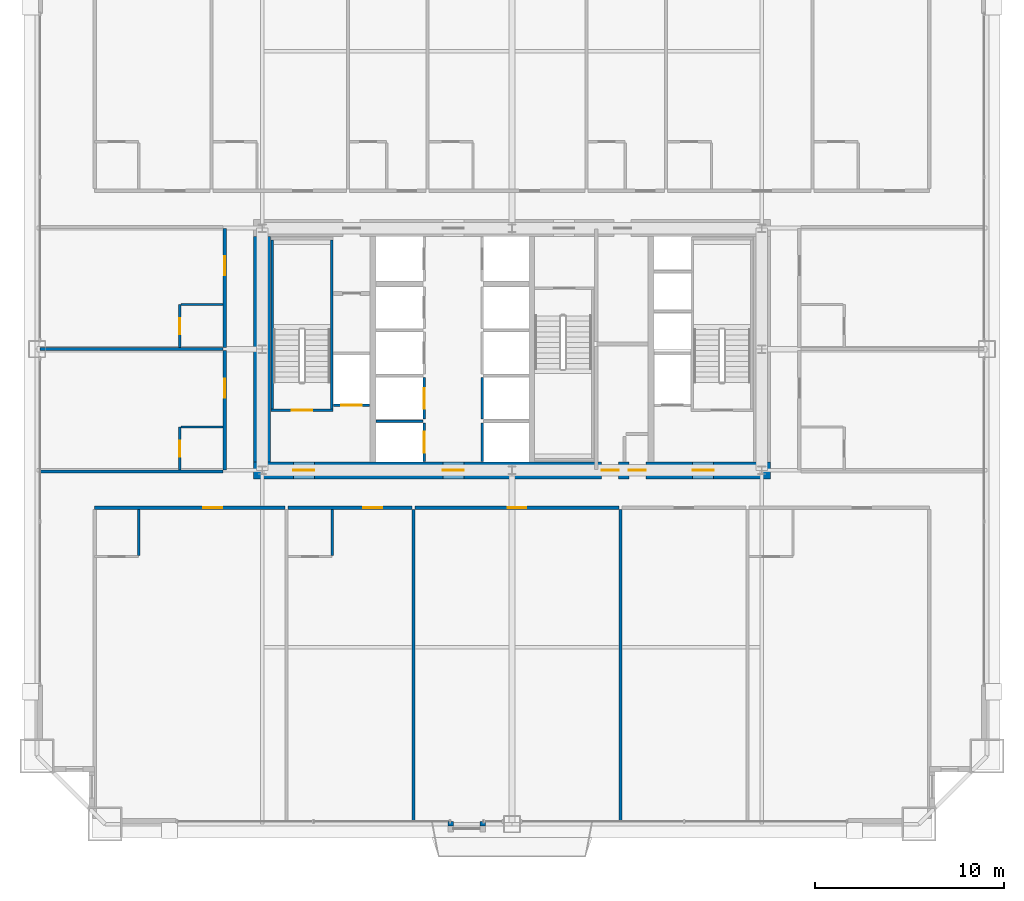
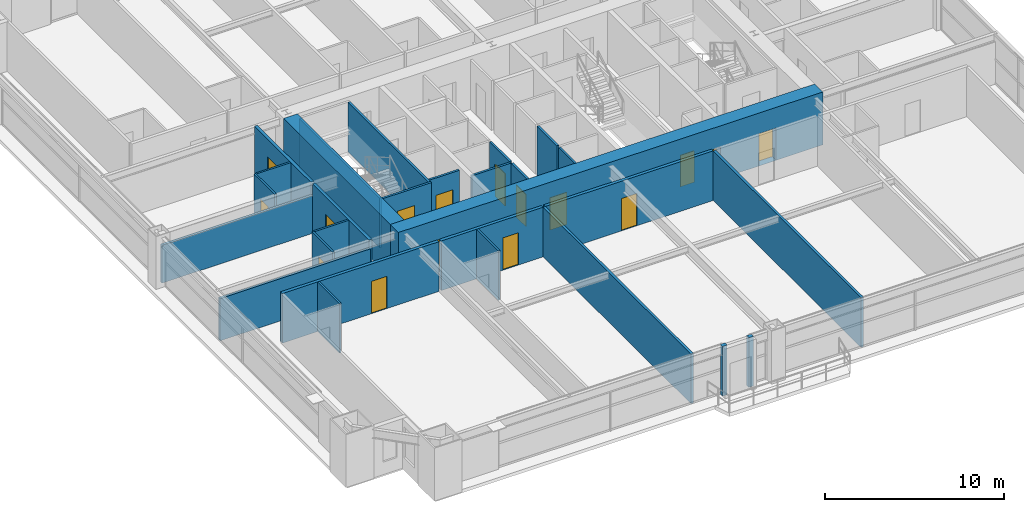
# One storey, part 40 of 45: 28 walls, 16 doors, 16 openings.
"""IFC4 building model written with IfcOpenShell, lengths in metres."""

import ifcopenshell
import ifcopenshell.guid

model = None  # the IFC model being written
_history = None  # IfcOwnerHistory: only IFC2X3 demands one
_inside = {}  # id of a spatial element -> (the spatial element, [elements in it])
_under = {}  # id of a project, library or spatial element -> (it, [spatial elements below it])
_declared = {}  # id of a project -> (the project, [libraries it declares])
_typed = {}  # id of a type object -> (the type object, [elements of that type])
_made_of = {}  # id of a material, layer set ... -> (it, [elements and type objects made of it])


def new_model(schema):
    """Start an empty IFC model of exactly this schema.

    Asked for "IFC4X3", IfcOpenShell would pick the latest addendum, in which some entities
    have other attributes; the version numbers below select the first issue.
    IFC2X3 requires an IfcOwnerHistory on every rooted entity: one is made here for all.
    """
    global model, _history
    if schema == "IFC4X3":
        model = ifcopenshell.file(schema_version=(4, 3, 0, 0))
    else:
        model = ifcopenshell.file(schema=schema)
    _inside.clear()
    _under.clear()
    _declared.clear()
    _typed.clear()
    _made_of.clear()
    _history = None
    if model.schema == "IFC2X3":
        org = make("IfcOrganization", Name="unknown")
        user = make(
            "IfcPersonAndOrganization",
            ThePerson=make("IfcPerson", FamilyName="unknown"),
            TheOrganization=org,
        )
        app = make(
            "IfcApplication",
            ApplicationDeveloper=org,
            Version="unknown",
            ApplicationFullName="unknown",
            ApplicationIdentifier="unknown",
        )
        _history = make(
            "IfcOwnerHistory",
            OwningUser=user,
            OwningApplication=app,
            ChangeAction="ADDED",
            CreationDate=0,
        )
    return model


def make(cls, **values):
    """One entity of the class cls with the attributes given. An attribute that is None is left unset."""
    return model.create_entity(
        cls, **{name: value for name, value in values.items() if value is not None}
    )


def rooted(cls, **values):
    """An entity with a GlobalId (a new one), such as an element, a storey or a relation."""
    return make(cls, GlobalId=ifcopenshell.guid.new(), OwnerHistory=_history, **values)


def si_unit(unit_type, name, prefix=None):
    """IfcSIUnit, for example si_unit("LENGTHUNIT", "METRE", prefix="MILLI")."""
    return make("IfcSIUnit", UnitType=unit_type, Prefix=prefix, Name=name)


def assignment(units):
    """IfcUnitAssignment: the units of a project."""
    return None if units is None else make("IfcUnitAssignment", Units=units)


def point(xyz):
    """IfcCartesianPoint."""
    return None if xyz is None else make("IfcCartesianPoint", Coordinates=xyz)


def direction(xyz):
    """IfcDirection."""
    return None if xyz is None else make("IfcDirection", DirectionRatios=xyz)


def frame(location, z_axis=None, x_axis=None):
    """IfcAxis2Placement3D, a coordinate frame: its origin and axes. An axis left out is left unset."""
    return make(
        "IfcAxis2Placement3D",
        Location=point(location),
        Axis=direction(z_axis),
        RefDirection=direction(x_axis),
    )


def frame_2d(location, x_axis=None):
    """IfcAxis2Placement2D, a coordinate frame in the plane: its origin and x axis."""
    return make(
        "IfcAxis2Placement2D", Location=point(location), RefDirection=direction(x_axis)
    )


def origin():
    """The frame at (0, 0, 0) with its axes left unset."""
    return frame((0.0, 0.0, 0.0))


def place(relative_to, where):
    """IfcLocalPlacement: puts the frame where relative to a parent placement (None: the world)."""
    return make(
        "IfcLocalPlacement", PlacementRelTo=relative_to, RelativePlacement=where
    )


def context(
    kind, dimensions, precision=None, world=None, true_north=None, identifier=None
):
    """IfcGeometricRepresentationContext, for example the 3D "Model" context."""
    return make(
        "IfcGeometricRepresentationContext",
        ContextIdentifier=identifier,
        ContextType=kind,
        CoordinateSpaceDimension=dimensions,
        Precision=precision,
        WorldCoordinateSystem=world,
        TrueNorth=true_north,
    )


def subcontext(parent, identifier, kind, view, scale=None):
    """IfcGeometricRepresentationSubContext, for example "Body" below "Model"."""
    return make(
        "IfcGeometricRepresentationSubContext",
        ContextIdentifier=identifier,
        ContextType=kind,
        ParentContext=parent,
        TargetScale=scale,
        TargetView=view,
    )


def project(units=None, contexts=None):
    """IfcProject with its units and contexts."""
    return rooted(
        "IfcProject",
        Name="project",
        RepresentationContexts=contexts,
        UnitsInContext=assignment(units),
    )


def spatial(cls, under=None, at=None, **own):
    """A site, building, storey or space (cls), placed at a placement, below another one or the project."""
    s = rooted(cls, ObjectPlacement=at, **own)
    if under is not None:
        _under.setdefault(under.id(), (under, []))[1].append(s)
    return s


def profile(cls, at=None, kind="AREA", **sizes):
    """A parametric profile (cls). Its sizes go by their IFC names, for example OverallWidth=200.0."""
    return make(cls, ProfileType=kind, Position=at, **sizes)


def rectangle(**sizes):
    """IfcRectangleProfileDef."""
    return profile("IfcRectangleProfileDef", **sizes)


def extrude(swept, where, along, depth):
    """IfcExtrudedAreaSolid: the profile swept, set in the frame where, extruded along a direction by depth."""
    return make(
        "IfcExtrudedAreaSolid",
        SweptArea=swept,
        Position=where,
        ExtrudedDirection=direction(along),
        Depth=depth,
    )


def shape(context_of_items, identifier, shape_type, items):
    """IfcShapeRepresentation: the items that make up one representation, for example the "Body"."""
    return make(
        "IfcShapeRepresentation",
        ContextOfItems=context_of_items,
        RepresentationIdentifier=identifier,
        RepresentationType=shape_type,
        Items=items,
    )


def source(mapping_origin, context_of_items, identifier, shape_type, items):
    """IfcRepresentationMap: a shape defined once, which mapped items show again and again."""
    return make(
        "IfcRepresentationMap",
        MappingOrigin=mapping_origin,
        MappedRepresentation=shape(context_of_items, identifier, shape_type, items),
    )


def transform(
    local_origin,
    x_axis=None,
    y_axis=None,
    z_axis=None,
    scale=None,
    scale2=None,
    scale3=None,
    uniform=True,
):
    """IfcCartesianTransformationOperator3D, or its non-uniform kind. x_axis, y_axis, z_axis: its Axis1, 2, 3."""
    if uniform:
        return make(
            "IfcCartesianTransformationOperator3D",
            Axis1=direction(x_axis),
            Axis2=direction(y_axis),
            LocalOrigin=point(local_origin),
            Scale=scale,
            Axis3=direction(z_axis),
        )
    return make(
        "IfcCartesianTransformationOperator3DnonUniform",
        Axis1=direction(x_axis),
        Axis2=direction(y_axis),
        LocalOrigin=point(local_origin),
        Scale=scale,
        Axis3=direction(z_axis),
        Scale2=scale2,
        Scale3=scale3,
    )


def mapped(mapping_source, mapping_target):
    """IfcMappedItem: shows the shape of a source again, moved by a transform."""
    return make(
        "IfcMappedItem", MappingSource=mapping_source, MappingTarget=mapping_target
    )


def material(Name=None, Category=None):
    """IfcMaterial."""
    return make("IfcMaterial", Name=Name, Category=Category)


def layer(
    of_material, thickness, ventilated=None, Name=None, Category=None, Priority=None
):
    """IfcMaterialLayer: one layer of a wall or slab, of a material (None: an air gap)."""
    return make(
        "IfcMaterialLayer",
        Material=of_material,
        LayerThickness=thickness,
        IsVentilated=ventilated,
        Name=Name,
        Category=Category,
        Priority=Priority,
    )


def layer_set(layers, Name=None):
    """IfcMaterialLayerSet."""
    return make("IfcMaterialLayerSet", MaterialLayers=layers, LayerSetName=Name)


def made_of(thing, what):
    """Note that an element or type object is made of a material, layer set ...; save() writes the relation."""
    if what is not None:
        _made_of.setdefault(what.id(), (what, []))[1].append(thing)
    return thing


def type_object(cls, material=None, **own):
    """A type object (cls), such as IfcWallType, which elements share."""
    return made_of(rooted(cls, **own), material)


def element(
    cls,
    number,
    at=None,
    inside=None,
    cuts=None,
    type_object=None,
    material=None,
    context=None,
    identifier="Body",
    shape_type=None,
    held_by="IfcProductDefinitionShape",
    body=None,
    shapes=None,
    **own,
):
    """One element of the class cls, such as IfcWall. Its Tag is "e" and its number.

    at: its placement. inside: the storey or other place that contains it. cuts: it is an
    opening in that element (IfcRelVoidsElement). A single representation is given by context,
    identifier, shape_type and body (its items); several are given by shapes. held_by: the class
    of the entity that holds the representations. save() writes the other relations.
    """
    e = rooted(cls, Tag="e%d" % number, ObjectPlacement=at, **own)
    if body is not None:
        shapes = [shape(context, identifier, shape_type, body)]
    if shapes is not None:
        e.Representation = make(held_by, Representations=shapes)
    if inside is not None:
        _inside.setdefault(inside.id(), (inside, []))[1].append(e)
    if cuts is not None:
        rooted(
            "IfcRelVoidsElement", RelatingBuildingElement=cuts, RelatedOpeningElement=e
        )
    if type_object is not None:
        _typed.setdefault(type_object.id(), (type_object, []))[1].append(e)
    return made_of(e, material)


def fill(opening, filler):
    """IfcRelFillsElement: the door or window that sits in an opening."""
    return rooted(
        "IfcRelFillsElement",
        RelatingOpeningElement=opening,
        RelatedBuildingElement=filler,
    )


def aggregate(whole, parts):
    """IfcRelAggregates: a whole, such as a stair, and the parts it consists of."""
    return rooted("IfcRelAggregates", RelatingObject=whole, RelatedObjects=parts)


def save(model, path):
    """Write the relations noted so far, then the file.

    IfcRelAggregates (storeys below a building ...), IfcRelContainedInSpatialStructure (elements
    in a storey), IfcRelDefinesByType, IfcRelAssociatesMaterial and IfcRelDeclares: one each for
    every whole, place, type object, material and project.
    """
    for whole, parts in _under.values():
        aggregate(whole, parts)
    for where, things in _inside.values():
        rooted(
            "IfcRelContainedInSpatialStructure",
            RelatedElements=things,
            RelatingStructure=where,
        )
    for kind, things in _typed.values():
        rooted("IfcRelDefinesByType", RelatedObjects=things, RelatingType=kind)
    for what, things in _made_of.values():
        rooted("IfcRelAssociatesMaterial", RelatedObjects=things, RelatingMaterial=what)
    for by, libraries in _declared.values():
        rooted("IfcRelDeclares", RelatingContext=by, RelatedDefinitions=libraries)
    model.write(path)


model = new_model("IFC4")

# Units and contexts
model_context = context("Model", 3, precision=1e-05, world=origin(), true_north=direction((0.0, 1.0)))
body_context = subcontext(model_context, "Body", "Model", "MODEL_VIEW")
ifc_project = project(units=[si_unit("LENGTHUNIT", "METRE"), si_unit("AREAUNIT", "SQUARE_METRE"), si_unit("VOLUMEUNIT", "CUBIC_METRE"), si_unit("PLANEANGLEUNIT", "RADIAN"), si_unit("MASSUNIT", "GRAM", prefix="KILO"), si_unit("THERMODYNAMICTEMPERATUREUNIT", "KELVIN"), si_unit("POWERUNIT", "WATT")], contexts=[model_context])

# Site, building, storey
site_placement = place(None, origin())
site = spatial("IfcSite", under=ifc_project, at=site_placement, CompositionType="ELEMENT")
building_placement = place(site_placement, origin())
building = spatial("IfcBuilding", under=site, at=building_placement, Name="Yuzanri Waterfront Tower", CompositionType="ELEMENT")
storey_placement = place(building_placement, frame((0.0, 0.0, 49.60009765625)))
storey = spatial("IfcBuildingStorey", under=building, at=storey_placement, Name="L12", CompositionType="ELEMENT", Elevation=49.60009765625)

# Wall, opening, door
ifc_material_1 = material(Name="Moisture-Resistant Gypsum Stud Wall", Category="gypsum")
ifc_layer_1 = layer(ifc_material_1, 0.1201171875)
ifc_layer_set_1 = layer_set([ifc_layer_1], Name="Moisture-Resistant Gypsum Stud Wall")
wall_type_1 = type_object("IfcWallType", Name="Bathroom and Kitchen Wet Partition 120", PredefinedType="PARTITIONING", material=ifc_layer_set_1)
wall_1_placement = place(storey_placement, frame((19.43994140625, 19.409912109375, 0.0), z_axis=(0.0, 0.0, 1.0), x_axis=(0.0, 1.0, 0.0)))
wall_1 = element("IfcWall", 1, at=wall_1_placement, inside=storey, type_object=wall_type_1, Name="L12 Partition UW-L12-W1-BW", PredefinedType="PARTITIONING", context=body_context, shape_type="SweptSolid", body=[
    extrude(rectangle(XDim=2.280029296875, YDim=0.1201171875, at=frame_2d((1.14013671875, 0.0))), origin(), (0.0, 0.0, 1.0), 3.3798828125),
])
opening_1_placement = place(wall_1_placement, frame((0.715087890625, 0.0, 0.0)))
opening_1 = element("IfcOpeningElement", 2, at=opening_1_placement, cuts=wall_1, Name="Opening ID-0850", PredefinedType="OPENING", context=body_context, shape_type="SweptSolid", body=[
    extrude(rectangle(XDim=0.85009765625, YDim=2.10009765625, at=frame_2d((0.425048828125, 1.050048828125))), frame((0.0, 0.074951171875, 0.0), z_axis=(0.0, -1.0, 0.0), x_axis=(1.0, 0.0, 0.0)), (0.0, 0.0, 1.0), 0.14990234375),
])
ifc_material_2 = material(Name="Moisture-Resistant Lacquered Timber", Category="wood")
door_type_1 = type_object("IfcDoorType", Name="En-Suite Bathroom and Kitchen Swing Door 850x2100", OperationType="NOTDEFINED", PredefinedType="DOOR", material=ifc_material_2)
shared_shape_1 = source(origin(), body_context, "Body", "SweptSolid", [
    extrude(rectangle(XDim=0.85009765625, YDim=2.10009765625, at=frame_2d((0.425048828125, 1.050048828125))), frame((0.0, 0.02490234375, 0.0), z_axis=(0.0, -1.0, 0.0), x_axis=(1.0, 0.0, 0.0)), (0.0, 0.0, 1.0), 0.050048828125),
])
door_1_placement = place(opening_1_placement, origin())
door_1 = element("IfcDoor", 3, at=door_1_placement, inside=storey, type_object=door_type_1, Name="L12 Guest En-Suite Door", OperationType="SINGLE_SWING_RIGHT", OverallHeight=2.10009765625, OverallWidth=0.85009765625, PredefinedType="DOOR", context=body_context, shape_type="MappedRepresentation", body=[
    mapped(shared_shape_1, transform((0.0, 0.0, 0.0), scale=1.0)),
])
fill(opening_1, door_1)

wall_2_placement = place(storey_placement, frame((19.43994140625, 25.8798828125, 0.0), z_axis=(0.0, 0.0, 1.0), x_axis=(0.0, 1.0, 0.0)))
wall_2 = element("IfcWall", 4, at=wall_2_placement, inside=storey, type_object=wall_type_1, Name="L12 Partition UW-L12-W2-BW", PredefinedType="PARTITIONING", context=body_context, shape_type="SweptSolid", body=[
    extrude(rectangle(XDim=2.280029296875, YDim=0.1201171875, at=frame_2d((1.14013671875, 0.0))), origin(), (0.0, 0.0, 1.0), 3.3798828125),
])
opening_2_placement = place(wall_2_placement, frame((0.715087890625, 0.0, 0.0)))
opening_2 = element("IfcOpeningElement", 5, at=opening_2_placement, cuts=wall_2, Name="Opening ID-0850", PredefinedType="OPENING", context=body_context, shape_type="SweptSolid", body=[
    extrude(rectangle(XDim=0.85009765625, YDim=2.10009765625, at=frame_2d((0.425048828125, 1.050048828125))), frame((0.0, 0.074951171875, 0.0), z_axis=(0.0, -1.0, 0.0), x_axis=(1.0, 0.0, 0.0)), (0.0, 0.0, 1.0), 0.14990234375),
])
door_2_placement = place(opening_2_placement, origin())
door_2 = element("IfcDoor", 6, at=door_2_placement, inside=storey, type_object=door_type_1, Name="L12 Guest En-Suite Door", OperationType="SINGLE_SWING_RIGHT", OverallHeight=2.10009765625, OverallWidth=0.85009765625, PredefinedType="DOOR", context=body_context, shape_type="MappedRepresentation", body=[
    mapped(shared_shape_1, transform((0.0, 0.0, 0.0), scale=1.0)),
])
fill(opening_2, door_2)

# Wall, openings, doors
ifc_material_3 = material(Name="Concrete C60", Category="concrete")
ifc_layer_2 = layer(ifc_material_3, 0.89990234375)
ifc_layer_set_2 = layer_set([ifc_layer_2], Name="Concrete C60")
wall_type_2 = type_object("IfcWallType", Name="Concrete C60 Lower Zone Core Shear Wall 900", PredefinedType="SHEAR", material=ifc_layer_set_2)
wall_3_placement = place(storey_placement, frame((23.35009765625, 19.39990234375, 0.0), z_axis=(0.0, 0.0, 1.0), x_axis=(1.0, 0.0, 0.0)))
wall_3 = element("IfcWall", 7, at=wall_3_placement, inside=storey, type_object=wall_type_2, Name="L12 Core South Shear Wall", PredefinedType="SHEAR", context=body_context, shape_type="SweptSolid", body=[
    extrude(rectangle(XDim=27.2998046875, YDim=0.89990234375, at=frame_2d((13.64990234375, 0.0))), origin(), (0.0, 0.0, 1.0), 3.599853515625),
])
opening_3_placement = place(wall_3_placement, frame((2.10009765625, 0.0, 0.0)))
opening_3 = element("IfcOpeningElement", 8, at=opening_3_placement, cuts=wall_3, Name="Opening FD-1100", PredefinedType="OPENING", context=body_context, shape_type="SweptSolid", body=[
    extrude(rectangle(XDim=1.10009765625, YDim=2.199951171875, at=frame_2d((0.550048828125, 1.10009765625))), frame((0.0, 0.46484375, 0.0), z_axis=(0.0, -1.0, 0.0), x_axis=(1.0, 0.0, 0.0)), (0.0, 0.0, 1.0), 0.9296875),
])
opening_4_placement = place(wall_3_placement, frame((10.0, 0.0, 0.0)))
opening_4 = element("IfcOpeningElement", 9, at=opening_4_placement, cuts=wall_3, Name="Opening FD-1100", PredefinedType="OPENING", context=body_context, shape_type="SweptSolid", body=[
    extrude(rectangle(XDim=1.10009765625, YDim=2.199951171875, at=frame_2d((0.550048828125, 1.10009765625))), frame((0.0, 0.46484375, 0.0), z_axis=(0.0, -1.0, 0.0), x_axis=(1.0, 0.0, 0.0)), (0.0, 0.0, 1.0), 0.9296875),
])
opening_5_placement = place(wall_3_placement, frame((23.199951171875, 0.0, 0.0)))
opening_5 = element("IfcOpeningElement", 10, at=opening_5_placement, cuts=wall_3, Name="Opening FD-1100", PredefinedType="OPENING", context=body_context, shape_type="SweptSolid", body=[
    extrude(rectangle(XDim=1.10009765625, YDim=2.199951171875, at=frame_2d((0.550048828125, 1.10009765625))), frame((0.0, 0.46484375, 0.0), z_axis=(0.0, -1.0, 0.0), x_axis=(1.0, 0.0, 0.0)), (0.0, 0.0, 1.0), 0.9296875),
])
opening_6_placement = place(wall_3_placement, frame((19.820068359375, 0.0, 0.0)))
opening_6 = element("IfcOpeningElement", 11, at=opening_6_placement, cuts=wall_3, Name="Opening FD-0900", PredefinedType="OPENING", context=body_context, shape_type="SweptSolid", body=[
    extrude(rectangle(XDim=0.89990234375, YDim=2.14990234375, at=frame_2d((0.449951171875, 1.074951171875))), frame((0.0, 0.46484375, 0.0), z_axis=(0.0, -1.0, 0.0), x_axis=(1.0, 0.0, 0.0)), (0.0, 0.0, 1.0), 0.9296875),
])
opening_7_placement = place(wall_3_placement, frame((18.3798828125, 0.0, 0.0)))
opening_7 = element("IfcOpeningElement", 12, at=opening_7_placement, cuts=wall_3, Name="Opening FD-0900", PredefinedType="OPENING", context=body_context, shape_type="SweptSolid", body=[
    extrude(rectangle(XDim=0.89990234375, YDim=2.14990234375, at=frame_2d((0.449951171875, 1.074951171875))), frame((0.0, 0.46484375, 0.0), z_axis=(0.0, -1.0, 0.0), x_axis=(1.0, 0.0, 0.0)), (0.0, 0.0, 1.0), 0.9296875),
])
ifc_material_4 = material(Name="Painted Galvanized Fire Steel", Category="steel")
door_type_2 = type_object("IfcDoorType", Name="Smoke-Proof Stair and Lobby Fire Door 1100x2200", OperationType="NOTDEFINED", PredefinedType="DOOR", material=ifc_material_4)
shared_shape_2 = source(origin(), body_context, "Body", "SweptSolid", [
    extrude(rectangle(XDim=1.10009765625, YDim=2.199951171875, at=frame_2d((0.550048828125, 1.10009765625))), frame((0.0, 0.02490234375, 0.0), z_axis=(0.0, -1.0, 0.0), x_axis=(1.0, 0.0, 0.0)), (0.0, 0.0, 1.0), 0.050048828125),
])
door_3_placement = place(opening_3_placement, origin())
door_3 = element("IfcDoor", 13, at=door_3_placement, inside=storey, type_object=door_type_2, Name="L12 West Firefighting Lobby Door", OperationType="SINGLE_SWING_LEFT", OverallHeight=2.199951171875, OverallWidth=1.10009765625, PredefinedType="DOOR", context=body_context, shape_type="MappedRepresentation", body=[
    mapped(shared_shape_2, transform((0.0, 0.0, 0.0), scale=1.0)),
])
fill(opening_3, door_3)
door_4_placement = place(opening_4_placement, origin())
door_4 = element("IfcDoor", 14, at=door_4_placement, inside=storey, type_object=door_type_2, Name="L12 Central Lift Lobby South Door", OperationType="SINGLE_SWING_RIGHT", OverallHeight=2.199951171875, OverallWidth=1.10009765625, PredefinedType="DOOR", context=body_context, shape_type="MappedRepresentation", body=[
    mapped(shared_shape_2, transform((0.0, 0.0, 0.0), scale=1.0)),
])
fill(opening_4, door_4)
door_5_placement = place(opening_5_placement, origin())
door_5 = element("IfcDoor", 15, at=door_5_placement, inside=storey, type_object=door_type_2, Name="L12 East Firefighting Lobby Door", OperationType="SINGLE_SWING_LEFT", OverallHeight=2.199951171875, OverallWidth=1.10009765625, PredefinedType="DOOR", context=body_context, shape_type="MappedRepresentation", body=[
    mapped(shared_shape_2, transform((0.0, 0.0, 0.0), scale=1.0)),
])
fill(opening_5, door_5)
ifc_material_5 = material(Name="Painted Galvanized Fire Steel", Category="steel")
door_type_3 = type_object("IfcDoorType", Name="Riser and Service Room Fire Door 900x2150", OperationType="NOTDEFINED", PredefinedType="DOOR", material=ifc_material_5)
shared_shape_3 = source(origin(), body_context, "Body", "SweptSolid", [
    extrude(rectangle(XDim=0.89990234375, YDim=2.14990234375, at=frame_2d((0.449951171875, 1.074951171875))), frame((0.0, 0.02490234375, 0.0), z_axis=(0.0, -1.0, 0.0), x_axis=(1.0, 0.0, 0.0)), (0.0, 0.0, 1.0), 0.050048828125),
])
door_6_placement = place(opening_6_placement, origin())
door_6 = element("IfcDoor", 16, at=door_6_placement, inside=storey, type_object=door_type_3, Name="L12 East Wet Riser Door", OperationType="SINGLE_SWING_RIGHT", OverallHeight=2.14990234375, OverallWidth=0.89990234375, PredefinedType="DOOR", context=body_context, shape_type="MappedRepresentation", body=[
    mapped(shared_shape_3, transform((0.0, 0.0, 0.0), scale=1.0)),
])
fill(opening_6, door_6)
door_7_placement = place(opening_7_placement, origin())
door_7 = element("IfcDoor", 17, at=door_7_placement, inside=storey, type_object=door_type_3, Name="L12 Meter and Valve Store Room", OperationType="SINGLE_SWING_LEFT", OverallHeight=2.14990234375, OverallWidth=0.89990234375, PredefinedType="DOOR", context=body_context, shape_type="MappedRepresentation", body=[
    mapped(shared_shape_3, transform((0.0, 0.0, 0.0), scale=1.0)),
])
fill(opening_7, door_7)

# Wall, opening, door
ifc_material_6 = material(Name="Concrete C40", Category="concrete")
ifc_layer_3 = layer(ifc_material_6, 0.139892578125)
ifc_layer_set_3 = layer_set([ifc_layer_3], Name="Concrete C40")
wall_type_3 = type_object("IfcWallType", Name="Core Stair Liner and Hoistway Shaft Wall 140", PredefinedType="SOLIDWALL", material=ifc_layer_set_3)
wall_4_placement = place(storey_placement, frame((27.56005859375, 22.830078125, 0.0), z_axis=(0.0, 0.0, 1.0), x_axis=(1.0, 0.0, 0.0)))
wall_4 = element("IfcWall", 18, at=wall_4_placement, inside=storey, type_object=wall_type_3, Name="L12 Lift FL-01 Front Shaft Wall", PredefinedType="SOLIDWALL", context=body_context, shape_type="SweptSolid", body=[
    extrude(rectangle(XDim=1.919921875, YDim=0.139892578125, at=frame_2d((0.9599609375, 0.0))), origin(), (0.0, 0.0, 1.0), 3.3798828125),
])
opening_8_placement = place(wall_4_placement, frame((0.409912109375, 0.0, 0.0)))
opening_8 = element("IfcOpeningElement", 19, at=opening_8_placement, cuts=wall_4, Name="Opening LD-FL-01", PredefinedType="OPENING", context=body_context, shape_type="SweptSolid", body=[
    extrude(rectangle(XDim=1.10009765625, YDim=2.199951171875, at=frame_2d((0.550048828125, 1.10009765625))), frame((0.0, 0.0849609375, 0.0), z_axis=(0.0, -1.0, 0.0), x_axis=(1.0, 0.0, 0.0)), (0.0, 0.0, 1.0), 0.169677734375),
])
ifc_material_7 = material(Name="Brushed Bronze and Stainless Steel Cab", Category="steel")
door_type_4 = type_object("IfcDoorType", Name="Center-Parting Bronze Lift Landing Sliding Door 1100x2200", OperationType="NOTDEFINED", PredefinedType="DOOR", material=ifc_material_7)
shared_shape_4 = source(origin(), body_context, "Body", "SweptSolid", [
    extrude(rectangle(XDim=1.10009765625, YDim=2.199951171875, at=frame_2d((0.550048828125, 1.10009765625))), frame((0.0, 0.02490234375, 0.0), z_axis=(0.0, -1.0, 0.0), x_axis=(1.0, 0.0, 0.0)), (0.0, 0.0, 1.0), 0.050048828125),
])
door_8_placement = place(opening_8_placement, origin())
door_8 = element("IfcDoor", 20, at=door_8_placement, inside=storey, type_object=door_type_4, Name="L12 FL-01 Lift Landing Sliding Door", OperationType="SLIDING_TO_LEFT", OverallHeight=2.199951171875, OverallWidth=1.10009765625, PredefinedType="DOOR", context=body_context, shape_type="MappedRepresentation", body=[
    mapped(shared_shape_4, transform((0.0, 0.0, 0.0), scale=1.0)),
])
fill(opening_8, door_8)

wall_5_placement = place(storey_placement, frame((32.3701171875, 19.860107421875, 0.0), z_axis=(0.0, 0.0, 1.0), x_axis=(0.0, 1.0, 0.0)))
wall_5 = element("IfcWall", 21, at=wall_5_placement, inside=storey, type_object=wall_type_3, Name="L12 Lift PL-01 Front Shaft Wall", PredefinedType="SOLIDWALL", context=body_context, shape_type="SweptSolid", body=[
    extrude(rectangle(XDim=2.039794921875, YDim=0.139892578125, at=frame_2d((1.02001953125, 0.0))), origin(), (0.0, 0.0, 1.0), 3.3798828125),
])
opening_9_placement = place(wall_5_placement, frame((0.469970703125, 0.0, 0.0)))
opening_9 = element("IfcOpeningElement", 22, at=opening_9_placement, cuts=wall_5, Name="Opening LD-PL-01", PredefinedType="OPENING", context=body_context, shape_type="SweptSolid", body=[
    extrude(rectangle(XDim=1.10009765625, YDim=2.199951171875, at=frame_2d((0.550048828125, 1.10009765625))), frame((0.0, 0.0849609375, 0.0), z_axis=(0.0, -1.0, 0.0), x_axis=(1.0, 0.0, 0.0)), (0.0, 0.0, 1.0), 0.169677734375),
])
door_9_placement = place(opening_9_placement, origin())
door_9 = element("IfcDoor", 23, at=door_9_placement, inside=storey, type_object=door_type_4, Name="L12 PL-01 Lift Landing Sliding Door", OperationType="SLIDING_TO_LEFT", OverallHeight=2.199951171875, OverallWidth=1.10009765625, PredefinedType="DOOR", context=body_context, shape_type="MappedRepresentation", body=[
    mapped(shared_shape_4, transform((0.0, 0.0, 0.0), scale=1.0)),
])
fill(opening_9, door_9)

wall_6_placement = place(storey_placement, frame((32.3701171875, 22.10009765625, 0.0), z_axis=(0.0, 0.0, 1.0), x_axis=(0.0, 1.0, 0.0)))
wall_6 = element("IfcWall", 24, at=wall_6_placement, inside=storey, type_object=wall_type_3, Name="L12 Lift PL-02 Front Shaft Wall", PredefinedType="SOLIDWALL", context=body_context, shape_type="SweptSolid", body=[
    extrude(rectangle(XDim=2.199951171875, YDim=0.139892578125, at=frame_2d((1.10009765625, 0.0))), origin(), (0.0, 0.0, 1.0), 3.3798828125),
])
opening_10_placement = place(wall_6_placement, frame((0.550048828125, 0.0, 0.0)))
opening_10 = element("IfcOpeningElement", 25, at=opening_10_placement, cuts=wall_6, Name="Opening LD-PL-02", PredefinedType="OPENING", context=body_context, shape_type="SweptSolid", body=[
    extrude(rectangle(XDim=1.10009765625, YDim=2.199951171875, at=frame_2d((0.550048828125, 1.10009765625))), frame((0.0, 0.0849609375, 0.0), z_axis=(0.0, -1.0, 0.0), x_axis=(1.0, 0.0, 0.0)), (0.0, 0.0, 1.0), 0.169677734375),
])
door_10_placement = place(opening_10_placement, origin())
door_10 = element("IfcDoor", 26, at=door_10_placement, inside=storey, type_object=door_type_4, Name="L12 PL-02 Lift Landing Sliding Door", OperationType="SLIDING_TO_RIGHT", OverallHeight=2.199951171875, OverallWidth=1.10009765625, PredefinedType="DOOR", context=body_context, shape_type="MappedRepresentation", body=[
    mapped(shared_shape_4, transform((0.0, 0.0, 0.0), scale=1.0)),
])
fill(opening_10, door_10)

wall_7_placement = place(storey_placement, frame((24.260009765625, 22.570068359375, 0.0), z_axis=(0.0, 0.0, 1.0), x_axis=(1.0, 0.0, 0.0)))
wall_7 = element("IfcWall", 27, at=wall_7_placement, inside=storey, type_object=wall_type_3, Name="L12 Shaft Wall STW-L12-ST-01-S", PredefinedType="SOLIDWALL", context=body_context, shape_type="SweptSolid", body=[
    extrude(rectangle(XDim=3.280029296875, YDim=0.139892578125, at=frame_2d((1.64013671875, 0.0))), origin(), (0.0, 0.0, 1.0), 3.3798828125),
])
opening_11_placement = place(wall_7_placement, frame((1.090087890625, 0.0, 0.0)))
opening_11 = element("IfcOpeningElement", 28, at=opening_11_placement, cuts=wall_7, Name="Opening FD-1100", PredefinedType="OPENING", context=body_context, shape_type="SweptSolid", body=[
    extrude(rectangle(XDim=1.10009765625, YDim=2.199951171875, at=frame_2d((0.550048828125, 1.10009765625))), frame((0.0, 0.0849609375, 0.0), z_axis=(0.0, -1.0, 0.0), x_axis=(1.0, 0.0, 0.0)), (0.0, 0.0, 1.0), 0.169677734375),
])
door_11_placement = place(opening_11_placement, origin())
door_11 = element("IfcDoor", 29, at=door_11_placement, inside=storey, type_object=door_type_2, Name="L12 Stair ST-01 Fire Door", OperationType="SINGLE_SWING_RIGHT", OverallHeight=2.199951171875, OverallWidth=1.10009765625, PredefinedType="DOOR", context=body_context, shape_type="MappedRepresentation", body=[
    mapped(shared_shape_2, transform((0.0, 0.0, 0.0), scale=1.0)),
])
fill(opening_11, door_11)

ifc_material_8 = material(Name="Autoclaved Aerated Concrete Blockwork", Category="masonry")
ifc_layer_4 = layer(ifc_material_8, 0.199951171875)
ifc_layer_set_4 = layer_set([ifc_layer_4], Name="Autoclaved Aerated Concrete Blockwork")
wall_type_4 = type_object("IfcWallType", Name="Corridor and Unit Party Fire Wall 200", PredefinedType="PARTITIONING", material=ifc_layer_set_4)
wall_8_placement = place(storey_placement, frame((14.93994140625, 17.419921875, 0.0), z_axis=(0.0, 0.0, 1.0), x_axis=(1.0, 0.0, 0.0)))
wall_8 = element("IfcWall", 30, at=wall_8_placement, inside=storey, type_object=wall_type_4, Name="L12 Partition UW-L12-S1-CN", PredefinedType="PARTITIONING", context=body_context, shape_type="SweptSolid", body=[
    extrude(rectangle(XDim=10.068115234375, YDim=0.199951171875, at=frame_2d((5.0341796875, 0.0))), origin(), (0.0, 0.0, 1.0), 3.3798828125),
])
opening_12_placement = place(wall_8_placement, frame((5.739013671875, 0.0, 0.0)))
opening_12 = element("IfcOpeningElement", 31, at=opening_12_placement, cuts=wall_8, Name="Opening FD-1000", PredefinedType="OPENING", context=body_context, shape_type="SweptSolid", body=[
    extrude(rectangle(XDim=1.0, YDim=2.199951171875, at=frame_2d((0.5, 1.10009765625))), frame((0.0, 0.11474609375, 0.0), z_axis=(0.0, -1.0, 0.0), x_axis=(1.0, 0.0, 0.0)), (0.0, 0.0, 1.0), 0.229736328125),
])
ifc_material_9 = material(Name="Engineered Oak Fire-Rated Timber", Category="wood")
door_type_5 = type_object("IfcDoorType", Name="Guestroom and Apartment Entrance Fire Door 1000x2200", OperationType="NOTDEFINED", PredefinedType="DOOR", material=ifc_material_9)
shared_shape_5 = source(origin(), body_context, "Body", "SweptSolid", [
    extrude(rectangle(XDim=1.0, YDim=2.199951171875, at=frame_2d((0.5, 1.10009765625))), frame((0.0, 0.02490234375, 0.0), z_axis=(0.0, -1.0, 0.0), x_axis=(1.0, 0.0, 0.0)), (0.0, 0.0, 1.0), 0.050048828125),
])
door_12_placement = place(opening_12_placement, origin())
door_12 = element("IfcDoor", 32, at=door_12_placement, inside=storey, type_object=door_type_5, Name="L12 Corner Suite Entrance Door", OperationType="SINGLE_SWING_LEFT", OverallHeight=2.199951171875, OverallWidth=1.0, PredefinedType="DOOR", context=body_context, shape_type="MappedRepresentation", body=[
    mapped(shared_shape_5, transform((0.0, 0.0, 0.0), scale=1.0)),
])
fill(opening_12, door_12)

wall_9_placement = place(storey_placement, frame((25.16796875, 17.419921875, 0.0), z_axis=(0.0, 0.0, 1.0), x_axis=(1.0, 0.0, 0.0)))
wall_9 = element("IfcWall", 33, at=wall_9_placement, inside=storey, type_object=wall_type_4, Name="L12 Partition UW-L12-S2-CN", PredefinedType="PARTITIONING", context=body_context, shape_type="SweptSolid", body=[
    extrude(rectangle(XDim=6.546142578125, YDim=0.199951171875, at=frame_2d((3.27294921875, 0.0))), origin(), (0.0, 0.0, 1.0), 3.3798828125),
])
opening_13_placement = place(wall_9_placement, frame((3.97802734375, 0.0, 0.0)))
opening_13 = element("IfcOpeningElement", 34, at=opening_13_placement, cuts=wall_9, Name="Opening FD-1000", PredefinedType="OPENING", context=body_context, shape_type="SweptSolid", body=[
    extrude(rectangle(XDim=1.0, YDim=2.199951171875, at=frame_2d((0.5, 1.10009765625))), frame((0.0, 0.11474609375, 0.0), z_axis=(0.0, -1.0, 0.0), x_axis=(1.0, 0.0, 0.0)), (0.0, 0.0, 1.0), 0.229736328125),
])
door_13_placement = place(opening_13_placement, origin())
door_13 = element("IfcDoor", 35, at=door_13_placement, inside=storey, type_object=door_type_5, Name="L12 Premier Junior Suite Entrance Door", OperationType="SINGLE_SWING_LEFT", OverallHeight=2.199951171875, OverallWidth=1.0, PredefinedType="DOOR", context=body_context, shape_type="MappedRepresentation", body=[
    mapped(shared_shape_5, transform((0.0, 0.0, 0.0), scale=1.0)),
])
fill(opening_13, door_13)

wall_10_placement = place(storey_placement, frame((31.8740234375, 17.419921875, 0.0), z_axis=(0.0, 0.0, 1.0), x_axis=(1.0, 0.0, 0.0)))
wall_10 = element("IfcWall", 36, at=wall_10_placement, inside=storey, type_object=wall_type_4, Name="L12 Partition UW-L12-S3-CN", PredefinedType="PARTITIONING", context=body_context, shape_type="SweptSolid", body=[
    extrude(rectangle(XDim=10.781982421875, YDim=0.199951171875, at=frame_2d((5.39111328125, 0.0))), origin(), (0.0, 0.0, 1.0), 3.3798828125),
])
opening_14_placement = place(wall_10_placement, frame((4.89111328125, 0.0, 0.0)))
opening_14 = element("IfcOpeningElement", 37, at=opening_14_placement, cuts=wall_10, Name="Opening FD-1000", PredefinedType="OPENING", context=body_context, shape_type="SweptSolid", body=[
    extrude(rectangle(XDim=1.0, YDim=2.199951171875, at=frame_2d((0.5, 1.10009765625))), frame((0.0, 0.11474609375, 0.0), z_axis=(0.0, -1.0, 0.0), x_axis=(1.0, 0.0, 0.0)), (0.0, 0.0, 1.0), 0.229736328125),
])
door_14_placement = place(opening_14_placement, origin())
door_14 = element("IfcDoor", 38, at=door_14_placement, inside=storey, type_object=door_type_5, Name="L12 Boardroom Meeting Room Entrance Door", OperationType="SINGLE_SWING_LEFT", OverallHeight=2.199951171875, OverallWidth=1.0, PredefinedType="DOOR", context=body_context, shape_type="MappedRepresentation", body=[
    mapped(shared_shape_5, transform((0.0, 0.0, 0.0), scale=1.0)),
])
fill(opening_14, door_14)

wall_11_placement = place(storey_placement, frame((21.820068359375, 19.409912109375, 0.0), z_axis=(0.0, 0.0, 1.0), x_axis=(0.0, 1.0, 0.0)))
wall_11 = element("IfcWall", 39, at=wall_11_placement, inside=storey, type_object=wall_type_4, Name="L12 Partition UW-L12-W1-CW", PredefinedType="PARTITIONING", context=body_context, shape_type="SweptSolid", body=[
    extrude(rectangle(XDim=6.31005859375, YDim=0.199951171875, at=frame_2d((3.155029296875, 0.0))), origin(), (0.0, 0.0, 1.0), 3.3798828125),
])
opening_15_placement = place(wall_11_placement, frame((3.8349609375, 0.0, 0.0)))
opening_15 = element("IfcOpeningElement", 40, at=opening_15_placement, cuts=wall_11, Name="Opening FD-1000", PredefinedType="OPENING", context=body_context, shape_type="SweptSolid", body=[
    extrude(rectangle(XDim=1.0, YDim=2.199951171875, at=frame_2d((0.5, 1.10009765625))), frame((0.0, 0.11474609375, 0.0), z_axis=(0.0, -1.0, 0.0), x_axis=(1.0, 0.0, 0.0)), (0.0, 0.0, 1.0), 0.229736328125),
])
door_15_placement = place(opening_15_placement, origin())
door_15 = element("IfcDoor", 41, at=door_15_placement, inside=storey, type_object=door_type_5, Name="L12 West Guest Room Entrance Door", OperationType="SINGLE_SWING_LEFT", OverallHeight=2.199951171875, OverallWidth=1.0, PredefinedType="DOOR", context=body_context, shape_type="MappedRepresentation", body=[
    mapped(shared_shape_5, transform((0.0, 0.0, 0.0), scale=1.0)),
])
fill(opening_15, door_15)

wall_12_placement = place(storey_placement, frame((21.820068359375, 25.8798828125, 0.0), z_axis=(0.0, 0.0, 1.0), x_axis=(0.0, 1.0, 0.0)))
wall_12 = element("IfcWall", 42, at=wall_12_placement, inside=storey, type_object=wall_type_4, Name="L12 Partition UW-L12-W2-CW", PredefinedType="PARTITIONING", context=body_context, shape_type="SweptSolid", body=[
    extrude(rectangle(XDim=6.31005859375, YDim=0.199951171875, at=frame_2d((3.155029296875, 0.0))), origin(), (0.0, 0.0, 1.0), 3.3798828125),
])
opening_16_placement = place(wall_12_placement, frame((3.8349609375, 0.0, 0.0)))
opening_16 = element("IfcOpeningElement", 43, at=opening_16_placement, cuts=wall_12, Name="Opening FD-1000", PredefinedType="OPENING", context=body_context, shape_type="SweptSolid", body=[
    extrude(rectangle(XDim=1.0, YDim=2.199951171875, at=frame_2d((0.5, 1.10009765625))), frame((0.0, 0.11474609375, 0.0), z_axis=(0.0, -1.0, 0.0), x_axis=(1.0, 0.0, 0.0)), (0.0, 0.0, 1.0), 0.229736328125),
])
door_16_placement = place(opening_16_placement, origin())
door_16 = element("IfcDoor", 44, at=door_16_placement, inside=storey, type_object=door_type_5, Name="L12 West Guest Room Entrance Door", OperationType="SINGLE_SWING_LEFT", OverallHeight=2.199951171875, OverallWidth=1.0, PredefinedType="DOOR", context=body_context, shape_type="MappedRepresentation", body=[
    mapped(shared_shape_5, transform((0.0, 0.0, 0.0), scale=1.0)),
])
fill(opening_16, door_16)

# Walls
shared_shape_6 = source(origin(), body_context, "Body", "SweptSolid", [
    extrude(rectangle(XDim=11.89990234375, YDim=0.89990234375, at=frame_2d((5.949951171875, 0.0))), origin(), (0.0, 0.0, 1.0), 3.599853515625),
])
wall_13_placement = place(storey_placement, frame((23.800048828125, 19.85009765625, 0.0), z_axis=(0.0, 0.0, 1.0), x_axis=(0.0, 1.0, 0.0)))
element("IfcWall", 45, at=wall_13_placement, inside=storey, type_object=wall_type_2, Name="L12 Core West Shear Wall", PredefinedType="SHEAR", context=body_context, shape_type="MappedRepresentation", body=[
    mapped(shared_shape_6, transform((0.0, 0.0, 0.0), scale=1.0)),
])
ifc_material_10 = material(Name="Honed Chongqing Dark Basalt Stone", Category="masonry")
ifc_layer_5 = layer(ifc_material_10, 0.300048828125)
ifc_layer_set_5 = layer_set([ifc_layer_5], Name="Honed Chongqing Dark Basalt Stone")
wall_type_5 = type_object("IfcWallType", Name="Bronze Rainscreen Insulated Spandrel Portal Wall 300", PredefinedType="SOLIDWALL", material=ifc_layer_set_5)
shared_shape_7 = source(origin(), body_context, "Body", "SweptSolid", [
    extrude(rectangle(XDim=0.25, YDim=0.300048828125, at=frame_2d((0.125, 0.0))), origin(), (0.0, 0.0, 1.0), 3.3798828125),
])
for number, where, z_axis, x_axis, name in (
    (46, (33.758056640625, 0.85009765625, 0.0), (0.0, 0.0, 1.0), (0.0, -1.0, 0.0), "L12 S Terrace Portal Left Return"),
    (47, (35.4580078125, 0.60009765625, 0.0), (0.0, 0.0, 1.0), (0.0, 1.0, 0.0), "L12 S Terrace Portal Right Return"),
):
    element("IfcWall", number, at=place(storey_placement, frame(where, z_axis=z_axis, x_axis=x_axis)), inside=storey, type_object=wall_type_5, Name=name, PredefinedType="SOLIDWALL", context=body_context, shape_type="MappedRepresentation", body=[
        mapped(shared_shape_7, transform((0.0, 0.0, 0.0), scale=1.0)),
    ])
shared_shape_8 = source(origin(), body_context, "Body", "SweptSolid", [
    extrude(rectangle(XDim=2.5, YDim=0.139892578125, at=frame_2d((1.25, 0.0))), origin(), (0.0, 0.0, 1.0), 3.3798828125),
])
wall_14_placement = place(storey_placement, frame((29.800048828125, 22.0, 0.0), z_axis=(0.0, 0.0, 1.0), x_axis=(1.0, 0.0, 0.0)))
element("IfcWall", 48, at=wall_14_placement, inside=storey, type_object=wall_type_3, Name="L12 Lift PL-01 Divider Wall", PredefinedType="SOLIDWALL", context=body_context, shape_type="MappedRepresentation", body=[
    mapped(shared_shape_8, transform((0.0, 0.0, 0.0), scale=1.0)),
])
shared_shape_9 = source(origin(), body_context, "Body", "SweptSolid", [
    extrude(rectangle(XDim=2.039794921875, YDim=0.139892578125, at=frame_2d((1.02001953125, 0.0))), origin(), (0.0, 0.0, 1.0), 3.3798828125),
])
wall_15_placement = place(storey_placement, frame((35.429931640625, 19.860107421875, 0.0), z_axis=(0.0, 0.0, 1.0), x_axis=(0.0, 1.0, 0.0)))
element("IfcWall", 49, at=wall_15_placement, inside=storey, type_object=wall_type_3, Name="L12 Lift PL-05 Front Shaft Wall", PredefinedType="SOLIDWALL", context=body_context, shape_type="MappedRepresentation", body=[
    mapped(shared_shape_9, transform((0.0, 0.0, 0.0), scale=1.0)),
])
shared_shape_10 = source(origin(), body_context, "Body", "SweptSolid", [
    extrude(rectangle(XDim=2.199951171875, YDim=0.139892578125, at=frame_2d((1.10009765625, 0.0))), origin(), (0.0, 0.0, 1.0), 3.3798828125),
])
wall_16_placement = place(storey_placement, frame((35.429931640625, 22.10009765625, 0.0), z_axis=(0.0, 0.0, 1.0), x_axis=(0.0, 1.0, 0.0)))
element("IfcWall", 50, at=wall_16_placement, inside=storey, type_object=wall_type_3, Name="L12 Lift PL-06 Front Shaft Wall", PredefinedType="SOLIDWALL", context=body_context, shape_type="MappedRepresentation", body=[
    mapped(shared_shape_10, transform((0.0, 0.0, 0.0), scale=1.0)),
])
shared_shape_11 = source(origin(), body_context, "Body", "SweptSolid", [
    extrude(rectangle(XDim=8.940185546875, YDim=0.139892578125, at=frame_2d((4.47021484375, 0.0))), origin(), (0.0, 0.0, 1.0), 3.3798828125),
])
for number, where, z_axis, x_axis, name in (
    (51, (24.330078125, 22.639892578125, 0.0), (0.0, 0.0, 1.0), (0.0, 1.0, 0.0), "L12 Stair ST-01 West Shaft Wall"),
    (52, (27.469970703125, 22.639892578125, 0.0), (0.0, 0.0, 1.0), (0.0, 1.0, 0.0), "L12 Stair ST-01 East Shaft Wall"),
):
    element("IfcWall", number, at=place(storey_placement, frame(where, z_axis=z_axis, x_axis=x_axis)), inside=storey, type_object=wall_type_3, Name=name, PredefinedType="SOLIDWALL", context=body_context, shape_type="MappedRepresentation", body=[
        mapped(shared_shape_11, transform((0.0, 0.0, 0.0), scale=1.0)),
    ])
ifc_material_11 = material(Name="Gypsum Fireboard Acoustic Stud Wall", Category="gypsum")
ifc_layer_6 = layer(ifc_material_11, 0.159912109375)
ifc_layer_set_6 = layer_set([ifc_layer_6], Name="Gypsum Fireboard Acoustic Stud Wall")
wall_type_6 = type_object("IfcWallType", Name="Acoustic Suite Demising Partition 160", PredefinedType="PARTITIONING", material=ifc_layer_set_6)
shared_shape_12 = source(origin(), body_context, "Body", "SweptSolid", [
    extrude(rectangle(XDim=16.469970703125, YDim=0.159912109375, at=frame_2d((8.23486328125, 0.0))), origin(), (0.0, 0.0, 1.0), 3.3798828125),
])
for number, where, z_axis, x_axis, name in (
    (53, (31.7939453125, 0.85009765625, 0.0), (0.0, 0.0, 1.0), (0.0, 1.0, 0.0), "L12-S2 Party Wall"),
    (54, (42.736083984375, 0.85009765625, 0.0), (0.0, 0.0, 1.0), (0.0, 1.0, 0.0), "L12-S3 Party Wall"),
):
    element("IfcWall", number, at=place(storey_placement, frame(where, z_axis=z_axis, x_axis=x_axis)), inside=storey, type_object=wall_type_6, Name=name, PredefinedType="PARTITIONING", context=body_context, shape_type="MappedRepresentation", body=[
        mapped(shared_shape_12, transform((0.0, 0.0, 0.0), scale=1.0)),
    ])
shared_shape_13 = source(origin(), body_context, "Body", "SweptSolid", [
    extrude(rectangle(XDim=2.420166015625, YDim=0.1201171875, at=frame_2d((1.2099609375, 0.0))), origin(), (0.0, 0.0, 1.0), 3.3798828125),
])
for number, where, z_axis, x_axis, name in (
    (55, (17.27001953125, 14.89990234375, 0.0), (0.0, 0.0, 1.0), (0.0, 1.0, 0.0), "L12-S1 En-Suite Side Wall"),
    (56, (27.498046875, 14.89990234375, 0.0), (0.0, 0.0, 1.0), (0.0, 1.0, 0.0), "L12-S2 En-Suite Side Wall"),
):
    element("IfcWall", number, at=place(storey_placement, frame(where, z_axis=z_axis, x_axis=x_axis)), inside=storey, type_object=wall_type_1, Name=name, PredefinedType="PARTITIONING", context=body_context, shape_type="MappedRepresentation", body=[
        mapped(shared_shape_13, transform((0.0, 0.0, 0.0), scale=1.0)),
    ])
shared_shape_14 = source(origin(), body_context, "Body", "SweptSolid", [
    extrude(rectangle(XDim=9.669921875, YDim=0.159912109375, at=frame_2d((4.8349609375, 0.0))), origin(), (0.0, 0.0, 1.0), 2.574951171875),
])
wall_17_placement = place(storey_placement, frame((12.050048828125, 25.800048828125, 0.0), z_axis=(0.0, 0.0, 1.0), x_axis=(1.0, 0.0, 0.0)))
element("IfcWall", 57, at=wall_17_placement, inside=storey, type_object=wall_type_6, Name="L12-W1 Wing Party Wall", PredefinedType="PARTITIONING", context=body_context, shape_type="MappedRepresentation", body=[
    mapped(shared_shape_14, transform((0.0, 0.0, 0.0), scale=1.0)),
])
shared_shape_15 = source(origin(), body_context, "Body", "SweptSolid", [
    extrude(rectangle(XDim=9.669921875, YDim=0.159912109375, at=frame_2d((4.8349609375, 0.0))), origin(), (0.0, 0.0, 1.0), 2.875),
])
wall_18_placement = place(storey_placement, frame((12.050048828125, 19.330078125, 0.0), z_axis=(0.0, 0.0, 1.0), x_axis=(1.0, 0.0, 0.0)))
element("IfcWall", 58, at=wall_18_placement, inside=storey, type_object=wall_type_6, Name="L12-W1 Wing South End Wall", PredefinedType="PARTITIONING", context=body_context, shape_type="MappedRepresentation", body=[
    mapped(shared_shape_15, transform((0.0, 0.0, 0.0), scale=1.0)),
])
shared_shape_16 = source(origin(), body_context, "Body", "SweptSolid", [
    extrude(rectangle(XDim=2.219970703125, YDim=0.1201171875, at=frame_2d((1.10986328125, 0.0))), origin(), (0.0, 0.0, 1.0), 3.3798828125),
])
for number, where, z_axis, x_axis, name in (
    (59, (19.5, 21.68994140625, 0.0), (0.0, 0.0, 1.0), (1.0, 0.0, 0.0), "L12-W1 En-Suite Top Wall"),
    (60, (19.5, 28.159912109375, 0.0), (0.0, 0.0, 1.0), (1.0, 0.0, 0.0), "L12-W2 En-Suite Top Wall"),
):
    element("IfcWall", number, at=place(storey_placement, frame(where, z_axis=z_axis, x_axis=x_axis)), inside=storey, type_object=wall_type_1, Name=name, PredefinedType="PARTITIONING", context=body_context, shape_type="MappedRepresentation", body=[
        mapped(shared_shape_16, transform((0.0, 0.0, 0.0), scale=1.0)),
    ])

save(model, "model.ifc")
